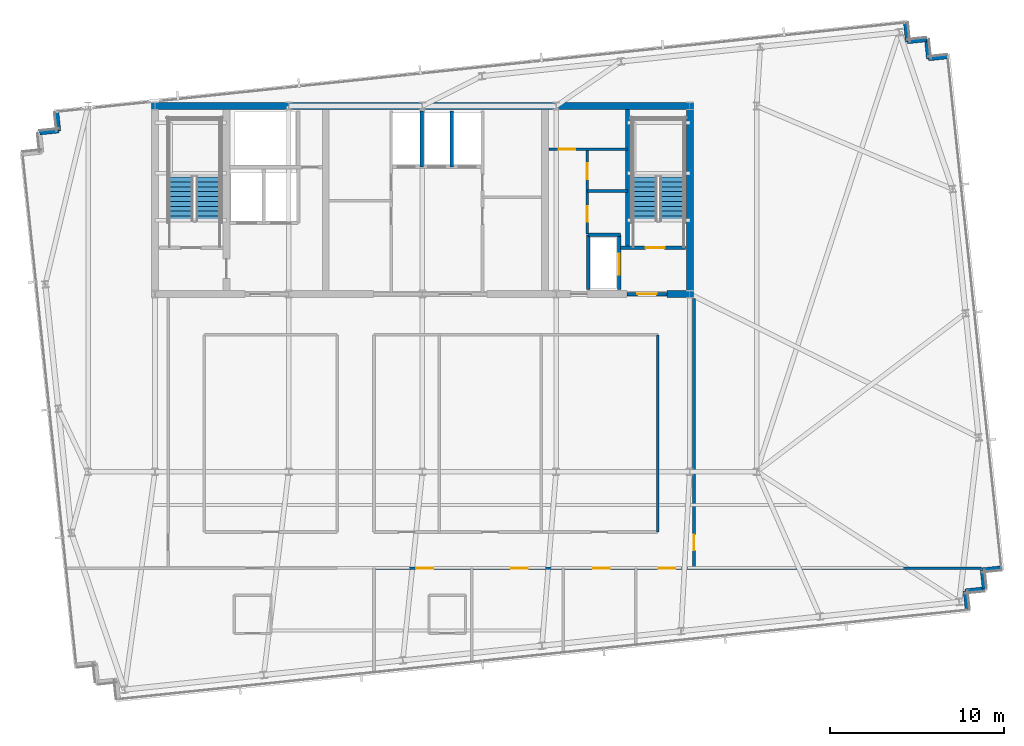
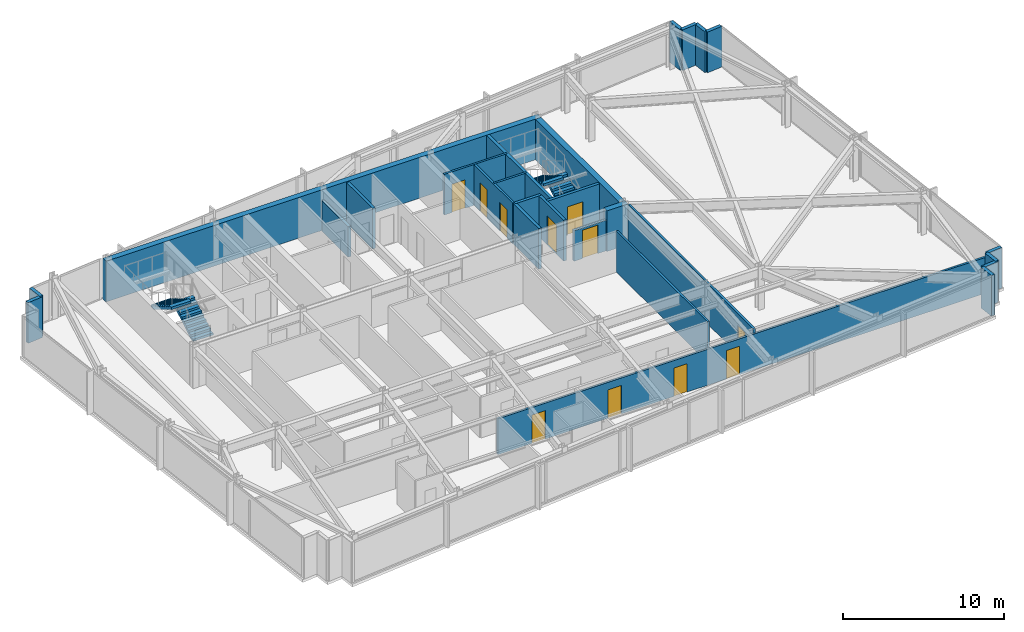
# One storey, part 28 of 32: 27 walls, 11 doors, 4 stair flights, 11 openings, 2 elements without a shape of their own.
"""IFC4 building model written with IfcOpenShell, lengths in metres."""

import ifcopenshell
import ifcopenshell.guid

model = None  # the IFC model being written
_history = None  # IfcOwnerHistory: only IFC2X3 demands one
_inside = {}  # id of a spatial element -> (the spatial element, [elements in it])
_under = {}  # id of a project, library or spatial element -> (it, [spatial elements below it])
_declared = {}  # id of a project -> (the project, [libraries it declares])
_typed = {}  # id of a type object -> (the type object, [elements of that type])
_made_of = {}  # id of a material, layer set ... -> (it, [elements and type objects made of it])


def new_model(schema):
    """Start an empty IFC model of exactly this schema.

    Asked for "IFC4X3", IfcOpenShell would pick the latest addendum, in which some entities
    have other attributes; the version numbers below select the first issue.
    IFC2X3 requires an IfcOwnerHistory on every rooted entity: one is made here for all.
    """
    global model, _history
    if schema == "IFC4X3":
        model = ifcopenshell.file(schema_version=(4, 3, 0, 0))
    else:
        model = ifcopenshell.file(schema=schema)
    _inside.clear()
    _under.clear()
    _declared.clear()
    _typed.clear()
    _made_of.clear()
    _history = None
    if model.schema == "IFC2X3":
        org = make("IfcOrganization", Name="unknown")
        user = make(
            "IfcPersonAndOrganization",
            ThePerson=make("IfcPerson", FamilyName="unknown"),
            TheOrganization=org,
        )
        app = make(
            "IfcApplication",
            ApplicationDeveloper=org,
            Version="unknown",
            ApplicationFullName="unknown",
            ApplicationIdentifier="unknown",
        )
        _history = make(
            "IfcOwnerHistory",
            OwningUser=user,
            OwningApplication=app,
            ChangeAction="ADDED",
            CreationDate=0,
        )
    return model


def make(cls, **values):
    """One entity of the class cls with the attributes given. An attribute that is None is left unset."""
    return model.create_entity(
        cls, **{name: value for name, value in values.items() if value is not None}
    )


def rooted(cls, **values):
    """An entity with a GlobalId (a new one), such as an element, a storey or a relation."""
    return make(cls, GlobalId=ifcopenshell.guid.new(), OwnerHistory=_history, **values)


def si_unit(unit_type, name, prefix=None):
    """IfcSIUnit, for example si_unit("LENGTHUNIT", "METRE", prefix="MILLI")."""
    return make("IfcSIUnit", UnitType=unit_type, Prefix=prefix, Name=name)


def assignment(units):
    """IfcUnitAssignment: the units of a project."""
    return None if units is None else make("IfcUnitAssignment", Units=units)


def point(xyz):
    """IfcCartesianPoint."""
    return None if xyz is None else make("IfcCartesianPoint", Coordinates=xyz)


def direction(xyz):
    """IfcDirection."""
    return None if xyz is None else make("IfcDirection", DirectionRatios=xyz)


def frame(location, z_axis=None, x_axis=None):
    """IfcAxis2Placement3D, a coordinate frame: its origin and axes. An axis left out is left unset."""
    return make(
        "IfcAxis2Placement3D",
        Location=point(location),
        Axis=direction(z_axis),
        RefDirection=direction(x_axis),
    )


def frame_2d(location, x_axis=None):
    """IfcAxis2Placement2D, a coordinate frame in the plane: its origin and x axis."""
    return make(
        "IfcAxis2Placement2D", Location=point(location), RefDirection=direction(x_axis)
    )


def origin():
    """The frame at (0, 0, 0) with its axes left unset."""
    return frame((0.0, 0.0, 0.0))


def place(relative_to, where):
    """IfcLocalPlacement: puts the frame where relative to a parent placement (None: the world)."""
    return make(
        "IfcLocalPlacement", PlacementRelTo=relative_to, RelativePlacement=where
    )


def context(
    kind, dimensions, precision=None, world=None, true_north=None, identifier=None
):
    """IfcGeometricRepresentationContext, for example the 3D "Model" context."""
    return make(
        "IfcGeometricRepresentationContext",
        ContextIdentifier=identifier,
        ContextType=kind,
        CoordinateSpaceDimension=dimensions,
        Precision=precision,
        WorldCoordinateSystem=world,
        TrueNorth=true_north,
    )


def subcontext(parent, identifier, kind, view, scale=None):
    """IfcGeometricRepresentationSubContext, for example "Body" below "Model"."""
    return make(
        "IfcGeometricRepresentationSubContext",
        ContextIdentifier=identifier,
        ContextType=kind,
        ParentContext=parent,
        TargetScale=scale,
        TargetView=view,
    )


def project(units=None, contexts=None):
    """IfcProject with its units and contexts."""
    return rooted(
        "IfcProject",
        Name="project",
        RepresentationContexts=contexts,
        UnitsInContext=assignment(units),
    )


def spatial(cls, under=None, at=None, **own):
    """A site, building, storey or space (cls), placed at a placement, below another one or the project."""
    s = rooted(cls, ObjectPlacement=at, **own)
    if under is not None:
        _under.setdefault(under.id(), (under, []))[1].append(s)
    return s


def polyline(points):
    """IfcPolyline through the points."""
    return make("IfcPolyline", Points=[point(p) for p in points])


def profile(cls, at=None, kind="AREA", **sizes):
    """A parametric profile (cls). Its sizes go by their IFC names, for example OverallWidth=200.0."""
    return make(cls, ProfileType=kind, Position=at, **sizes)


def rectangle(**sizes):
    """IfcRectangleProfileDef."""
    return profile("IfcRectangleProfileDef", **sizes)


def outline(outer, holes=None, kind="AREA"):
    """IfcArbitraryClosedProfileDef: a profile drawn as a closed curve; with holes, ...WithVoids."""
    if holes is None:
        return make("IfcArbitraryClosedProfileDef", ProfileType=kind, OuterCurve=outer)
    return make(
        "IfcArbitraryProfileDefWithVoids",
        ProfileType=kind,
        OuterCurve=outer,
        InnerCurves=holes,
    )


def extrude(swept, where, along, depth):
    """IfcExtrudedAreaSolid: the profile swept, set in the frame where, extruded along a direction by depth."""
    return make(
        "IfcExtrudedAreaSolid",
        SweptArea=swept,
        Position=where,
        ExtrudedDirection=direction(along),
        Depth=depth,
    )


def shape(context_of_items, identifier, shape_type, items):
    """IfcShapeRepresentation: the items that make up one representation, for example the "Body"."""
    return make(
        "IfcShapeRepresentation",
        ContextOfItems=context_of_items,
        RepresentationIdentifier=identifier,
        RepresentationType=shape_type,
        Items=items,
    )


def material(Name=None, Category=None):
    """IfcMaterial."""
    return make("IfcMaterial", Name=Name, Category=Category)


def layer(
    of_material, thickness, ventilated=None, Name=None, Category=None, Priority=None
):
    """IfcMaterialLayer: one layer of a wall or slab, of a material (None: an air gap)."""
    return make(
        "IfcMaterialLayer",
        Material=of_material,
        LayerThickness=thickness,
        IsVentilated=ventilated,
        Name=Name,
        Category=Category,
        Priority=Priority,
    )


def layer_set(layers, Name=None):
    """IfcMaterialLayerSet."""
    return make("IfcMaterialLayerSet", MaterialLayers=layers, LayerSetName=Name)


def made_of(thing, what):
    """Note that an element or type object is made of a material, layer set ...; save() writes the relation."""
    if what is not None:
        _made_of.setdefault(what.id(), (what, []))[1].append(thing)
    return thing


def type_object(cls, material=None, **own):
    """A type object (cls), such as IfcWallType, which elements share."""
    return made_of(rooted(cls, **own), material)


def element(
    cls,
    number,
    at=None,
    inside=None,
    cuts=None,
    type_object=None,
    material=None,
    context=None,
    identifier="Body",
    shape_type=None,
    held_by="IfcProductDefinitionShape",
    body=None,
    shapes=None,
    **own,
):
    """One element of the class cls, such as IfcWall. Its Tag is "e" and its number.

    at: its placement. inside: the storey or other place that contains it. cuts: it is an
    opening in that element (IfcRelVoidsElement). A single representation is given by context,
    identifier, shape_type and body (its items); several are given by shapes. held_by: the class
    of the entity that holds the representations. save() writes the other relations.
    """
    e = rooted(cls, Tag="e%d" % number, ObjectPlacement=at, **own)
    if body is not None:
        shapes = [shape(context, identifier, shape_type, body)]
    if shapes is not None:
        e.Representation = make(held_by, Representations=shapes)
    if inside is not None:
        _inside.setdefault(inside.id(), (inside, []))[1].append(e)
    if cuts is not None:
        rooted(
            "IfcRelVoidsElement", RelatingBuildingElement=cuts, RelatedOpeningElement=e
        )
    if type_object is not None:
        _typed.setdefault(type_object.id(), (type_object, []))[1].append(e)
    return made_of(e, material)


def fill(opening, filler):
    """IfcRelFillsElement: the door or window that sits in an opening."""
    return rooted(
        "IfcRelFillsElement",
        RelatingOpeningElement=opening,
        RelatedBuildingElement=filler,
    )


def aggregate(whole, parts):
    """IfcRelAggregates: a whole, such as a stair, and the parts it consists of."""
    return rooted("IfcRelAggregates", RelatingObject=whole, RelatedObjects=parts)


def save(model, path):
    """Write the relations noted so far, then the file.

    IfcRelAggregates (storeys below a building ...), IfcRelContainedInSpatialStructure (elements
    in a storey), IfcRelDefinesByType, IfcRelAssociatesMaterial and IfcRelDeclares: one each for
    every whole, place, type object, material and project.
    """
    for whole, parts in _under.values():
        aggregate(whole, parts)
    for where, things in _inside.values():
        rooted(
            "IfcRelContainedInSpatialStructure",
            RelatedElements=things,
            RelatingStructure=where,
        )
    for kind, things in _typed.values():
        rooted("IfcRelDefinesByType", RelatedObjects=things, RelatingType=kind)
    for what, things in _made_of.values():
        rooted("IfcRelAssociatesMaterial", RelatedObjects=things, RelatingMaterial=what)
    for by, libraries in _declared.values():
        rooted("IfcRelDeclares", RelatingContext=by, RelatedDefinitions=libraries)
    model.write(path)


model = new_model("IFC4")

# Units and contexts
model_context = context("Model", 3, precision=1e-05, world=origin(), true_north=direction((0.0, 1.0)))
body_context = subcontext(model_context, "Body", "Model", "MODEL_VIEW")
ifc_project = project(units=[si_unit("LENGTHUNIT", "METRE"), si_unit("AREAUNIT", "SQUARE_METRE"), si_unit("VOLUMEUNIT", "CUBIC_METRE"), si_unit("PLANEANGLEUNIT", "RADIAN"), si_unit("MASSUNIT", "GRAM", prefix="KILO")], contexts=[model_context])

# Site, building, storey
site_placement = place(None, origin())
site = spatial("IfcSite", under=ifc_project, at=site_placement, CompositionType="ELEMENT")
building_placement = place(site_placement, origin())
building = spatial("IfcBuilding", under=site, at=building_placement, Name="Yelkora Congress Tower", CompositionType="ELEMENT")
storey_placement = place(building_placement, frame((0.0, 0.0, 214.39990234375)))
storey = spatial("IfcBuildingStorey", under=building, at=storey_placement, Name="L59", CompositionType="ELEMENT", Elevation=214.39990234375)

# Walls
ifc_material_1 = material(Name="Concrete C50/60", Category="concrete")
ifc_layer_1 = layer(ifc_material_1, 0.219970703125)
ifc_layer_set_1 = layer_set([ifc_layer_1], Name="Concrete C50/60")
wall_type_1 = type_object("IfcWallType", Name="WALL-CORE-INT-220", PredefinedType="SHEAR", material=ifc_layer_set_1)
wall_1_placement = place(storey_placement, frame((50.179931640625, 38.050048828125, 0.0), z_axis=(0.0, 0.0, 1.0), x_axis=(0.0, 1.0, 0.0)))
element("IfcWall", 1, at=wall_1_placement, inside=storey, type_object=wall_type_1, Name="L59 ST02 West Stair Shear Wall", PredefinedType="SHEAR", context=body_context, shape_type="SweptSolid", body=[
    extrude(rectangle(XDim=7.949951171875, YDim=0.219970703125, at=frame_2d((3.97509765625, 0.0))), origin(), (0.0, 0.0, 1.0), 3.080078125),
])
ifc_layer_2 = layer(ifc_material_1, 0.39990234375)
ifc_layer_set_2 = layer_set([ifc_layer_2], Name="Concrete C50/60")
wall_type_2 = type_object("IfcWallType", Name="WALL-CORE-INT-400", PredefinedType="SHEAR", material=ifc_layer_set_2)
wall_2_placement = place(storey_placement, frame((22.840087890625, 46.199951171875, 0.0), z_axis=(0.0, 0.0, 1.0), x_axis=(1.0, 0.0, 0.0)))
element("IfcWall", 2, at=wall_2_placement, inside=storey, type_object=wall_type_2, Name="L59 Rear Core North Shear Wall", PredefinedType="SHEAR", context=body_context, shape_type="SweptSolid", body=[
    extrude(rectangle(XDim=31.119873046875, YDim=0.39990234375, at=frame_2d((15.56005859375, 0.0))), origin(), (0.0, 0.0, 1.0), 3.080078125),
])
wall_3_placement = place(storey_placement, frame((52.449951171875, 35.39990234375, 0.0), z_axis=(0.0, 0.0, 1.0), x_axis=(1.0, 0.0, 0.0)))
element("IfcWall", 3, at=wall_3_placement, inside=storey, type_object=wall_type_2, Name="L59 Rear Core South-East Shear Wall B", PredefinedType="SHEAR", context=body_context, shape_type="SweptSolid", body=[
    extrude(rectangle(XDim=1.510009765625, YDim=0.39990234375, at=frame_2d((0.7548828125, 0.0))), origin(), (0.0, 0.0, 1.0), 3.080078125),
])
wall_4_placement = place(storey_placement, frame((53.760009765625, 35.60009765625, 0.0), z_axis=(0.0, 0.0, 1.0), x_axis=(0.0, 1.0, 0.0)))
element("IfcWall", 4, at=wall_4_placement, inside=storey, type_object=wall_type_2, Name="L59 Rear Core Cross Shear Wall E", PredefinedType="SHEAR", context=body_context, shape_type="SweptSolid", body=[
    extrude(rectangle(XDim=10.39990234375, YDim=0.39990234375, at=frame_2d((5.199951171875, 0.0))), origin(), (0.0, 0.0, 1.0), 3.080078125),
])
ifc_material_2 = material(Name="Concrete C40/50", Category="concrete")
ifc_layer_3 = layer(ifc_material_2, 0.239990234375)
ifc_layer_set_3 = layer_set([ifc_layer_3], Name="Concrete C40/50")
wall_type_3 = type_object("IfcWallType", Name="WALL-EXT-LIMESTONE-240", PredefinedType="SOLIDWALL", material=ifc_layer_set_3)
wall_5_placement = place(storey_placement, frame((16.420166015625, 44.65380859375, 0.0), z_axis=(0.0, 0.0, 1.0), x_axis=(0.994541884982, 0.104338099541, 0.0)))
element("IfcWall", 5, at=wall_5_placement, inside=storey, type_object=wall_type_3, Name="L59 Serrated Corner Limestone Pier 8", PredefinedType="SOLIDWALL", context=body_context, shape_type="SweptSolid", body=[
    extrude(rectangle(XDim=1.099853515625, YDim=0.239990234375, at=frame_2d((0.5498046875, 0.0))), origin(), (0.0, 0.0, 1.0), 3.080078125),
])
for number, where, z_axis, x_axis, name in (
    (6, (17.513916015625, 44.7685546875, 0.0), (0.0, 0.0, 1.0), (-0.104534592565, 0.994521251134, 0.0), "L59 Serrated Corner Limestone Pier 9"),
    (7, (66.150390625, 50.986572265625, 0.0), (0.0, 0.0, 1.0), (0.104534592565, -0.994521251134, 0.0), "L59 Serrated Corner Limestone Pier 11"),
    (8, (66.265380859375, 49.892578125, 0.0), (0.0, 0.0, 1.0), (0.994521251134, 0.104534592565, 0.0), "L59 Serrated Corner Limestone Pier 12"),
    (9, (67.359375, 50.007568359375, 0.0), (0.0, 0.0, 1.0), (0.104534592565, -0.994521251134, 0.0), "L59 Serrated Corner Limestone Pier 13"),
    (10, (67.474365234375, 48.91357421875, 0.0), (0.0, 0.0, 1.0), (0.994521251134, 0.104534592565, 0.0), "L59 Serrated Corner Limestone Pier 14"),
    (11, (71.654052734375, 19.67041015625, 0.0), (0.0, 0.0, 1.0), (-0.994521251134, -0.104534592565, 0.0), "L59 Serrated Corner Limestone Pier 16"),
    (12, (70.56005859375, 19.555419921875, 0.0), (0.0, 0.0, 1.0), (0.104534592565, -0.994521251134, 0.0), "L59 Serrated Corner Limestone Pier 17"),
    (13, (70.675048828125, 18.46142578125, 0.0), (0.0, 0.0, 1.0), (-0.994521251134, -0.104534592565, 0.0), "L59 Serrated Corner Limestone Pier 18"),
    (14, (69.5810546875, 18.346435546875, 0.0), (0.0, 0.0, 1.0), (0.104534592565, -0.994521251134, 0.0), "L59 Serrated Corner Limestone Pier 19"),
):
    element("IfcWall", number, at=place(storey_placement, frame(where, z_axis=z_axis, x_axis=x_axis)), inside=storey, type_object=wall_type_3, Name=name, PredefinedType="SOLIDWALL", context=body_context, shape_type="SweptSolid", body=[
        extrude(rectangle(XDim=1.10009765625, YDim=0.239990234375, at=frame_2d((0.550048828125, 0.0))), origin(), (0.0, 0.0, 1.0), 3.080078125),
    ])

# Wall, opening, door
ifc_material_3 = material(Name="Acoustic metal-stud gypsum partition", Category="gypsum")
ifc_layer_4 = layer(ifc_material_3, 0.14990234375)
ifc_layer_set_4 = layer_set([ifc_layer_4], Name="Acoustic metal-stud gypsum partition")
wall_type_4 = type_object("IfcWallType", Name="WALL-INT-150-NR", PredefinedType="PARTITIONING", material=ifc_layer_set_4)
wall_6_placement = place(storey_placement, frame((45.679931640625, 43.719970703125, 0.0), z_axis=(0.0, 0.0, 1.0), x_axis=(1.0, 0.0, 0.0)))
wall_6 = element("IfcWall", 15, at=wall_6_placement, inside=storey, type_object=wall_type_4, Name="L59 Partition Wall 20", PredefinedType="PARTITIONING", context=body_context, shape_type="SweptSolid", body=[
    extrude(rectangle(XDim=4.5, YDim=0.14990234375, at=frame_2d((2.25, 0.0))), origin(), (0.0, 0.0, 1.0), 3.080078125),
])
opening_1_placement = place(wall_6_placement, frame((0.550048828125, 0.0, 0.0)))
opening_1 = element("IfcOpeningElement", 16, at=opening_1_placement, cuts=wall_6, Name="Opening DR-095N", PredefinedType="OPENING", context=body_context, shape_type="SweptSolid", body=[
    extrude(rectangle(XDim=0.949951171875, YDim=2.14990234375, at=frame_2d((0.47509765625, 1.074951171875))), frame((0.0, 0.0849609375, 0.0), z_axis=(0.0, -1.0, 0.0), x_axis=(1.0, 0.0, 0.0)), (0.0, 0.0, 1.0), 0.169921875),
])
ifc_material_4 = material(Name="Acoustic laminated timber office door", Category="wood")
door_type_1 = type_object("IfcDoorType", Name="DOOR-INT-950", OperationType="NOTDEFINED", PredefinedType="DOOR", material=ifc_material_4)
door_1_placement = place(opening_1_placement, origin())
door_1 = element("IfcDoor", 17, at=door_1_placement, inside=storey, type_object=door_type_1, Name="L59 Accessible WC Door", OperationType="SINGLE_SWING_LEFT", OverallHeight=2.14990234375, OverallWidth=0.949951171875, PredefinedType="DOOR", context=body_context, shape_type="SweptSolid", body=[
    extrude(rectangle(XDim=0.949951171875, YDim=2.14990234375, at=frame_2d((0.47509765625, 1.074951171875))), frame((0.0, 0.02490234375, 0.0), z_axis=(0.0, -1.0, 0.0), x_axis=(1.0, 0.0, 0.0)), (0.0, 0.0, 1.0), 0.050048828125),
])
fill(opening_1, door_1)

# Wall
wall_7_placement = place(storey_placement, frame((47.8798828125, 41.320068359375, 0.0), z_axis=(0.0, 0.0, 1.0), x_axis=(1.0, 0.0, 0.0)))
element("IfcWall", 18, at=wall_7_placement, inside=storey, type_object=wall_type_4, Name="L59 Partition Wall 21", PredefinedType="PARTITIONING", context=body_context, shape_type="SweptSolid", body=[
    extrude(rectangle(XDim=2.300048828125, YDim=0.14990234375, at=frame_2d((1.14990234375, 0.0))), origin(), (0.0, 0.0, 1.0), 3.080078125),
])

# Wall, openings, doors
wall_8_placement = place(storey_placement, frame((47.8798828125, 38.85009765625, 0.0), z_axis=(0.0, 0.0, 1.0), x_axis=(0.0, 1.0, 0.0)))
wall_8 = element("IfcWall", 19, at=wall_8_placement, inside=storey, type_object=wall_type_4, Name="L59 Partition Wall 22", PredefinedType="PARTITIONING", context=body_context, shape_type="SweptSolid", body=[
    extrude(rectangle(XDim=4.869873046875, YDim=0.14990234375, at=frame_2d((2.43505859375, 0.0))), origin(), (0.0, 0.0, 1.0), 3.080078125),
])
opening_2_placement = place(wall_8_placement, frame((0.699951171875, 0.0, 0.0)))
opening_2 = element("IfcOpeningElement", 20, at=opening_2_placement, cuts=wall_8, Name="Opening DR-090N", PredefinedType="OPENING", context=body_context, shape_type="SweptSolid", body=[
    extrude(rectangle(XDim=0.89990234375, YDim=2.14990234375, at=frame_2d((0.449951171875, 1.074951171875))), frame((0.0, 0.0849609375, 0.0), z_axis=(0.0, -1.0, 0.0), x_axis=(1.0, 0.0, 0.0)), (0.0, 0.0, 1.0), 0.169921875),
])
opening_3_placement = place(wall_8_placement, frame((3.14990234375, 0.0, 0.0)))
opening_3 = element("IfcOpeningElement", 21, at=opening_3_placement, cuts=wall_8, Name="Opening DR-090N", PredefinedType="OPENING", context=body_context, shape_type="SweptSolid", body=[
    extrude(rectangle(XDim=0.89990234375, YDim=2.14990234375, at=frame_2d((0.449951171875, 1.074951171875))), frame((0.0, 0.0849609375, 0.0), z_axis=(0.0, -1.0, 0.0), x_axis=(1.0, 0.0, 0.0)), (0.0, 0.0, 1.0), 0.169921875),
])
ifc_material_5 = material(Name="Moisture-resistant laminate door leaf", Category="wood")
door_type_2 = type_object("IfcDoorType", Name="DOOR-INT-900", OperationType="NOTDEFINED", PredefinedType="DOOR", material=ifc_material_5)
door_2_placement = place(opening_2_placement, origin())
door_2 = element("IfcDoor", 22, at=door_2_placement, inside=storey, type_object=door_type_2, Name="L59 Male WC Door", OperationType="SINGLE_SWING_RIGHT", OverallHeight=2.14990234375, OverallWidth=0.89990234375, PredefinedType="DOOR", context=body_context, shape_type="SweptSolid", body=[
    extrude(rectangle(XDim=0.89990234375, YDim=2.14990234375, at=frame_2d((0.449951171875, 1.074951171875))), frame((0.0, 0.02490234375, 0.0), z_axis=(0.0, -1.0, 0.0), x_axis=(1.0, 0.0, 0.0)), (0.0, 0.0, 1.0), 0.050048828125),
])
fill(opening_2, door_2)
door_3_placement = place(opening_3_placement, origin())
door_3 = element("IfcDoor", 23, at=door_3_placement, inside=storey, type_object=door_type_2, Name="L59 Female WC Door", OperationType="SINGLE_SWING_LEFT", OverallHeight=2.14990234375, OverallWidth=0.89990234375, PredefinedType="DOOR", context=body_context, shape_type="SweptSolid", body=[
    extrude(rectangle(XDim=0.89990234375, YDim=2.14990234375, at=frame_2d((0.449951171875, 1.074951171875))), frame((0.0, 0.02490234375, 0.0), z_axis=(0.0, -1.0, 0.0), x_axis=(1.0, 0.0, 0.0)), (0.0, 0.0, 1.0), 0.050048828125),
])
fill(opening_3, door_3)

# Wall, opening, door
wall_9_placement = place(storey_placement, frame((54.0, 19.64990234375, 0.0), z_axis=(0.0, 0.0, 1.0), x_axis=(0.0, 1.0, 0.0)))
wall_9 = element("IfcWall", 24, at=wall_9_placement, inside=storey, type_object=wall_type_4, Name="L59 Partition Wall 38", PredefinedType="PARTITIONING", context=body_context, shape_type="SweptSolid", body=[
    extrude(rectangle(XDim=15.489990234375, YDim=0.14990234375, at=frame_2d((7.7451171875, 0.0))), origin(), (0.0, 0.0, 1.0), 3.080078125),
])
opening_4_placement = place(wall_9_placement, frame((1.030029296875, 0.0, 0.0)))
opening_4 = element("IfcOpeningElement", 25, at=opening_4_placement, cuts=wall_9, Name="Opening DR-090N", PredefinedType="OPENING", context=body_context, shape_type="SweptSolid", body=[
    extrude(rectangle(XDim=0.89990234375, YDim=2.14990234375, at=frame_2d((0.449951171875, 1.074951171875))), frame((0.0, 0.0849609375, 0.0), z_axis=(0.0, -1.0, 0.0), x_axis=(1.0, 0.0, 0.0)), (0.0, 0.0, 1.0), 0.169921875),
])
door_4_placement = place(opening_4_placement, origin())
door_4 = element("IfcDoor", 26, at=door_4_placement, inside=storey, type_object=door_type_2, Name="L59 E Wing Door", OperationType="SINGLE_SWING_RIGHT", OverallHeight=2.14990234375, OverallWidth=0.89990234375, PredefinedType="DOOR", context=body_context, shape_type="SweptSolid", body=[
    extrude(rectangle(XDim=0.89990234375, YDim=2.14990234375, at=frame_2d((0.449951171875, 1.074951171875))), frame((0.0, 0.02490234375, 0.0), z_axis=(0.0, -1.0, 0.0), x_axis=(1.0, 0.0, 0.0)), (0.0, 0.0, 1.0), 0.050048828125),
])
fill(opening_4, door_4)

# Wall
wall_10_placement = place(storey_placement, frame((51.919921875, 21.72998046875, 0.0), z_axis=(0.0, 0.0, 1.0), x_axis=(0.0, 1.0, 0.0)))
element("IfcWall", 27, at=wall_10_placement, inside=storey, type_object=wall_type_4, Name="L59 Partition Wall 40", PredefinedType="PARTITIONING", context=body_context, shape_type="SweptSolid", body=[
    extrude(rectangle(XDim=11.320068359375, YDim=0.14990234375, at=frame_2d((5.66015625, 0.0))), origin(), (0.0, 0.0, 1.0), 3.080078125),
])

# Wall, openings, doors
ifc_material_6 = material(Name="Twin-stud fire-rated gypsum partition", Category="gypsum")
ifc_layer_5 = layer(ifc_material_6, 0.14990234375)
ifc_layer_set_5 = layer_set([ifc_layer_5], Name="Twin-stud fire-rated gypsum partition")
wall_type_5 = type_object("IfcWallType", Name="WALL-INT-150-R60", PredefinedType="PARTITIONING", material=ifc_layer_set_5)
wall_11_placement = place(storey_placement, frame((35.6201171875, 19.64990234375, 0.0), z_axis=(0.0, 0.0, 1.0), x_axis=(1.0, 0.0, 0.0)))
wall_11 = element("IfcWall", 28, at=wall_11_placement, inside=storey, type_object=wall_type_5, Name="L59 South Spine Wall East", PredefinedType="PARTITIONING", context=body_context, shape_type="SweptSolid", body=[
    extrude(rectangle(XDim=34.89990234375, YDim=0.14990234375, at=frame_2d((17.449951171875, 0.0))), origin(), (0.0, 0.0, 1.0), 2.715087890625),
])
opening_5_placement = place(wall_11_placement, frame((2.4541015625, 0.0, 0.0)))
opening_5 = element("IfcOpeningElement", 29, at=opening_5_placement, cuts=wall_11, Name="Opening DR-095F6", PredefinedType="OPENING", context=body_context, shape_type="SweptSolid", body=[
    extrude(rectangle(XDim=0.949951171875, YDim=2.14990234375, at=frame_2d((0.47509765625, 1.074951171875))), frame((0.0, 0.0849609375, 0.0), z_axis=(0.0, -1.0, 0.0), x_axis=(1.0, 0.0, 0.0)), (0.0, 0.0, 1.0), 0.169921875),
])
opening_6_placement = place(wall_11_placement, frame((7.887939453125, 0.0, 0.0)))
opening_6 = element("IfcOpeningElement", 30, at=opening_6_placement, cuts=wall_11, Name="Opening DR-095F6", PredefinedType="OPENING", context=body_context, shape_type="SweptSolid", body=[
    extrude(rectangle(XDim=0.949951171875, YDim=2.14990234375, at=frame_2d((0.47509765625, 1.074951171875))), frame((0.0, 0.0849609375, 0.0), z_axis=(0.0, -1.0, 0.0), x_axis=(1.0, 0.0, 0.0)), (0.0, 0.0, 1.0), 0.169921875),
])
opening_7_placement = place(wall_11_placement, frame((12.593505859375, 0.0, 0.0)))
opening_7 = element("IfcOpeningElement", 31, at=opening_7_placement, cuts=wall_11, Name="Opening DR-095F6", PredefinedType="OPENING", context=body_context, shape_type="SweptSolid", body=[
    extrude(rectangle(XDim=0.949951171875, YDim=2.14990234375, at=frame_2d((0.47509765625, 1.074951171875))), frame((0.0, 0.0849609375, 0.0), z_axis=(0.0, -1.0, 0.0), x_axis=(1.0, 0.0, 0.0)), (0.0, 0.0, 1.0), 0.169921875),
])
opening_8_placement = place(wall_11_placement, frame((16.344482421875, 0.0, 0.0)))
opening_8 = element("IfcOpeningElement", 32, at=opening_8_placement, cuts=wall_11, Name="Opening DR-095F6", PredefinedType="OPENING", context=body_context, shape_type="SweptSolid", body=[
    extrude(rectangle(XDim=0.949951171875, YDim=2.14990234375, at=frame_2d((0.47509765625, 1.074951171875))), frame((0.0, 0.0849609375, 0.0), z_axis=(0.0, -1.0, 0.0), x_axis=(1.0, 0.0, 0.0)), (0.0, 0.0, 1.0), 0.169921875),
])
ifc_material_7 = material(Name="Acoustic oak-veneer fire door leaf", Category="wood")
door_type_3 = type_object("IfcDoorType", Name="DOOR-FD60-950", OperationType="NOTDEFINED", PredefinedType="DOOR", material=ifc_material_7)
door_5_placement = place(opening_5_placement, origin())
door_5 = element("IfcDoor", 33, at=door_5_placement, inside=storey, type_object=door_type_3, Name="L59 Hotel Guest Room 03 Entry Door", OperationType="SINGLE_SWING_LEFT", OverallHeight=2.14990234375, OverallWidth=0.949951171875, PredefinedType="DOOR", context=body_context, shape_type="SweptSolid", body=[
    extrude(rectangle(XDim=0.949951171875, YDim=2.14990234375, at=frame_2d((0.47509765625, 1.074951171875))), frame((0.0, 0.02490234375, 0.0), z_axis=(0.0, -1.0, 0.0), x_axis=(1.0, 0.0, 0.0)), (0.0, 0.0, 1.0), 0.050048828125),
])
fill(opening_5, door_5)
door_6_placement = place(opening_6_placement, origin())
door_6 = element("IfcDoor", 34, at=door_6_placement, inside=storey, type_object=door_type_3, Name="L59 VIP Hospitality Lounge Entry Door", OperationType="SINGLE_SWING_RIGHT", OverallHeight=2.14990234375, OverallWidth=0.949951171875, PredefinedType="DOOR", context=body_context, shape_type="SweptSolid", body=[
    extrude(rectangle(XDim=0.949951171875, YDim=2.14990234375, at=frame_2d((0.47509765625, 1.074951171875))), frame((0.0, 0.02490234375, 0.0), z_axis=(0.0, -1.0, 0.0), x_axis=(1.0, 0.0, 0.0)), (0.0, 0.0, 1.0), 0.050048828125),
])
fill(opening_6, door_6)
door_7_placement = place(opening_7_placement, origin())
door_7 = element("IfcDoor", 35, at=door_7_placement, inside=storey, type_object=door_type_3, Name="L59 VIP Hospitality Lounge Entry Door", OperationType="SINGLE_SWING_LEFT", OverallHeight=2.14990234375, OverallWidth=0.949951171875, PredefinedType="DOOR", context=body_context, shape_type="SweptSolid", body=[
    extrude(rectangle(XDim=0.949951171875, YDim=2.14990234375, at=frame_2d((0.47509765625, 1.074951171875))), frame((0.0, 0.02490234375, 0.0), z_axis=(0.0, -1.0, 0.0), x_axis=(1.0, 0.0, 0.0)), (0.0, 0.0, 1.0), 0.050048828125),
])
fill(opening_7, door_7)
door_8_placement = place(opening_8_placement, origin())
door_8 = element("IfcDoor", 36, at=door_8_placement, inside=storey, type_object=door_type_3, Name="L59 VIP Hospitality Lounge Entry Door", OperationType="SINGLE_SWING_RIGHT", OverallHeight=2.14990234375, OverallWidth=0.949951171875, PredefinedType="DOOR", context=body_context, shape_type="SweptSolid", body=[
    extrude(rectangle(XDim=0.949951171875, YDim=2.14990234375, at=frame_2d((0.47509765625, 1.074951171875))), frame((0.0, 0.02490234375, 0.0), z_axis=(0.0, -1.0, 0.0), x_axis=(1.0, 0.0, 0.0)), (0.0, 0.0, 1.0), 0.050048828125),
])
fill(opening_8, door_8)

# Walls
ifc_material_8 = material(Name="Autoclaved aerated concrete blockwork", Category="masonry")
ifc_layer_6 = layer(ifc_material_8, 0.199951171875)
ifc_layer_set_6 = layer_set([ifc_layer_6], Name="Autoclaved aerated concrete blockwork")
wall_type_6 = type_object("IfcWallType", Name="WALL-INT-200-R120", PredefinedType="PARTITIONING", material=ifc_layer_set_6)
wall_12_placement = place(storey_placement, frame((38.35009765625, 42.699951171875, 0.0), z_axis=(0.0, 0.0, 1.0), x_axis=(0.0, 1.0, 0.0)))
element("IfcWall", 37, at=wall_12_placement, inside=storey, type_object=wall_type_6, Name="L59 Partition Wall 9", PredefinedType="PARTITIONING", context=body_context, shape_type="SweptSolid", body=[
    extrude(rectangle(XDim=3.219970703125, YDim=0.199951171875, at=frame_2d((1.60986328125, 0.0))), origin(), (0.0, 0.0, 1.0), 2.31298828125),
])
wall_13_placement = place(storey_placement, frame((40.10009765625, 42.699951171875, 0.0), z_axis=(0.0, 0.0, 1.0), x_axis=(0.0, 1.0, 0.0)))
element("IfcWall", 38, at=wall_13_placement, inside=storey, type_object=wall_type_6, Name="L59 Partition Wall 10", PredefinedType="PARTITIONING", context=body_context, shape_type="SweptSolid", body=[
    extrude(rectangle(XDim=3.219970703125, YDim=0.199951171875, at=frame_2d((1.60986328125, 0.0))), origin(), (0.0, 0.0, 1.0), 3.080078125),
])

# Wall, opening, door
wall_14_placement = place(storey_placement, frame((49.780029296875, 38.050048828125, 0.0), z_axis=(0.0, 0.0, 1.0), x_axis=(1.0, 0.0, 0.0)))
wall_14 = element("IfcWall", 39, at=wall_14_placement, inside=storey, type_object=wall_type_6, Name="L59 Stair ST-02 Enclosure Wall", PredefinedType="PARTITIONING", context=body_context, shape_type="SweptSolid", body=[
    extrude(rectangle(XDim=3.719970703125, YDim=0.199951171875, at=frame_2d((1.85986328125, 0.0))), origin(), (0.0, 0.0, 1.0), 3.080078125),
])
opening_9_placement = place(wall_14_placement, frame((1.436279296875, 0.0, 0.0)))
opening_9 = element("IfcOpeningElement", 40, at=opening_9_placement, cuts=wall_14, Name="Opening DR-110F9", PredefinedType="OPENING", context=body_context, shape_type="SweptSolid", body=[
    extrude(rectangle(XDim=1.10009765625, YDim=2.14990234375, at=frame_2d((0.550048828125, 1.074951171875))), frame((0.0, 0.10986328125, 0.0), z_axis=(0.0, -1.0, 0.0), x_axis=(1.0, 0.0, 0.0)), (0.0, 0.0, 1.0), 0.219970703125),
])
ifc_material_9 = material(Name="Galvanised steel fire door leaf", Category="steel")
door_type_4 = type_object("IfcDoorType", Name="DOOR-FD90-1100", OperationType="NOTDEFINED", PredefinedType="DOOR", material=ifc_material_9)
door_9_placement = place(opening_9_placement, origin())
door_9 = element("IfcDoor", 41, at=door_9_placement, inside=storey, type_object=door_type_4, Name="L59 Stair ST-02 Entry Door", OperationType="SINGLE_SWING_RIGHT", OverallHeight=2.14990234375, OverallWidth=1.10009765625, PredefinedType="DOOR", context=body_context, shape_type="SweptSolid", body=[
    extrude(rectangle(XDim=1.10009765625, YDim=2.14990234375, at=frame_2d((0.550048828125, 1.074951171875))), frame((0.0, 0.02490234375, 0.0), z_axis=(0.0, -1.0, 0.0), x_axis=(1.0, 0.0, 0.0)), (0.0, 0.0, 1.0), 0.050048828125),
])
fill(opening_9, door_9)

wall_15_placement = place(storey_placement, frame((50.14990234375, 35.39990234375, 0.0), z_axis=(0.0, 0.0, 1.0), x_axis=(1.0, 0.0, 0.0)))
wall_15 = element("IfcWall", 42, at=wall_15_placement, inside=storey, type_object=wall_type_6, Name="L59 Partition Wall 16", PredefinedType="PARTITIONING", context=body_context, shape_type="SweptSolid", body=[
    extrude(rectangle(XDim=2.300048828125, YDim=0.199951171875, at=frame_2d((1.14990234375, 0.0))), origin(), (0.0, 0.0, 1.0), 2.31298828125),
])
opening_10_placement = place(wall_15_placement, frame((0.60009765625, 0.0, 0.0)))
opening_10 = element("IfcOpeningElement", 43, at=opening_10_placement, cuts=wall_15, Name="Opening DR-110F9", PredefinedType="OPENING", context=body_context, shape_type="SweptSolid", body=[
    extrude(rectangle(XDim=1.10009765625, YDim=2.14990234375, at=frame_2d((0.550048828125, 1.074951171875))), frame((0.0, 0.10986328125, 0.0), z_axis=(0.0, -1.0, 0.0), x_axis=(1.0, 0.0, 0.0)), (0.0, 0.0, 1.0), 0.219970703125),
])
door_10_placement = place(opening_10_placement, origin())
door_10 = element("IfcDoor", 44, at=door_10_placement, inside=storey, type_object=door_type_4, Name="L59 East Stair Lobby Door", OperationType="SINGLE_SWING_LEFT", OverallHeight=2.14990234375, OverallWidth=1.10009765625, PredefinedType="DOOR", context=body_context, shape_type="SweptSolid", body=[
    extrude(rectangle(XDim=1.10009765625, YDim=2.14990234375, at=frame_2d((0.550048828125, 1.074951171875))), frame((0.0, 0.02490234375, 0.0), z_axis=(0.0, -1.0, 0.0), x_axis=(1.0, 0.0, 0.0)), (0.0, 0.0, 1.0), 0.050048828125),
])
fill(opening_10, door_10)

wall_16_placement = place(storey_placement, frame((49.699951171875, 35.64990234375, 0.0), z_axis=(0.0, 0.0, 1.0), x_axis=(0.0, 1.0, 0.0)))
wall_16 = element("IfcWall", 45, at=wall_16_placement, inside=storey, type_object=wall_type_6, Name="L59 Partition Wall 17", PredefinedType="PARTITIONING", context=body_context, shape_type="SweptSolid", body=[
    extrude(rectangle(XDim=3.150146484375, YDim=0.199951171875, at=frame_2d((1.5751953125, 0.0))), origin(), (0.0, 0.0, 1.0), 3.080078125),
])
opening_11_placement = place(wall_16_placement, frame((0.85009765625, 0.0, 0.0)))
opening_11 = element("IfcOpeningElement", 46, at=opening_11_placement, cuts=wall_16, Name="Opening LD-SV12", PredefinedType="OPENING", context=body_context, shape_type="SweptSolid", body=[
    extrude(rectangle(XDim=1.199951171875, YDim=2.199951171875, at=frame_2d((0.60009765625, 1.10009765625))), frame((0.0, 0.10986328125, 0.0), z_axis=(0.0, -1.0, 0.0), x_axis=(1.0, 0.0, 0.0)), (0.0, 0.0, 1.0), 0.219970703125),
])
ifc_material_10 = material(Name="Heavy-duty stainless steel landing door", Category="steel")
door_type_5 = type_object("IfcDoorType", Name="DOOR-LIFT-SRV-1200", OperationType="DOUBLE_DOOR_SLIDING", PredefinedType="DOOR", material=ifc_material_10)
door_11_placement = place(opening_11_placement, origin())
door_11 = element("IfcDoor", 47, at=door_11_placement, inside=storey, type_object=door_type_5, Name="Service Lift Landing Door LF-SV1 L59", OperationType="DOUBLE_DOOR_SLIDING", OverallHeight=2.199951171875, OverallWidth=1.199951171875, PredefinedType="DOOR", context=body_context, shape_type="SweptSolid", body=[
    extrude(rectangle(XDim=1.199951171875, YDim=2.199951171875, at=frame_2d((0.60009765625, 1.10009765625))), frame((0.0, 0.02490234375, 0.0), z_axis=(0.0, -1.0, 0.0), x_axis=(1.0, 0.0, 0.0)), (0.0, 0.0, 1.0), 0.050048828125),
])
fill(opening_11, door_11)

# Walls
wall_17_placement = place(storey_placement, frame((47.919921875, 35.64990234375, 0.0), z_axis=(0.0, 0.0, 1.0), x_axis=(0.0, 1.0, 0.0)))
element("IfcWall", 48, at=wall_17_placement, inside=storey, type_object=wall_type_6, Name="L59 Partition Wall 18", PredefinedType="PARTITIONING", context=body_context, shape_type="SweptSolid", body=[
    extrude(rectangle(XDim=3.150146484375, YDim=0.199951171875, at=frame_2d((1.5751953125, 0.0))), origin(), (0.0, 0.0, 1.0), 3.080078125),
])
wall_18_placement = place(storey_placement, frame((47.919921875, 38.800048828125, 0.0), z_axis=(0.0, 0.0, 1.0), x_axis=(1.0, 0.0, 0.0)))
element("IfcWall", 49, at=wall_18_placement, inside=storey, type_object=wall_type_6, Name="L59 Partition Wall 19", PredefinedType="PARTITIONING", context=body_context, shape_type="SweptSolid", body=[
    extrude(rectangle(XDim=1.860107421875, YDim=0.199951171875, at=frame_2d((0.93017578125, 0.0))), origin(), (0.0, 0.0, 1.0), 3.080078125),
])

# Stair, stair flights
stair_type = type_object("IfcStairType", Name="STAIR-HT-1420-R20-165", PredefinedType="HALF_TURN_STAIR", material=ifc_material_2)
stair_1_placement = place(storey_placement, origin())
stair_1 = element("IfcStair", 50, at=stair_1_placement, inside=storey, type_object=stair_type, Name="West Core Protected Exit Stair ST-01 (L59)", PredefinedType="HALF_TURN_STAIR")
stair_flight_type = type_object("IfcStairFlightType", Name="FLIGHT-1420-N10-R165-G280", PredefinedType="STRAIGHT", material=ifc_material_2)
stair_flight_1_placement = place(storey_placement, frame((26.110107421875, 39.60009765625, 0.0), z_axis=(0.0, 0.0, 1.0), x_axis=(0.0, 1.0, 0.0)))
stair_flight_1 = element("IfcStairFlight", 51, at=stair_flight_1_placement, type_object=stair_flight_type, Name="ST-01 L59 Flight 1", NumberOfRisers=10, NumberOfTreads=9, PredefinedType="STRAIGHT", RiserHeight=0.165, TreadLength=0.28, context=body_context, shape_type="SweptSolid", body=[
    extrude(outline(polyline([(0.0, 0.0), (0.0, 0.1650390625), (0.280029296875, 0.1650390625), (0.280029296875, 0.330078125), (0.56005859375, 0.330078125), (0.56005859375, 0.4951171875), (0.840087890625, 0.4951171875), (0.840087890625, 0.659912109375), (1.1201171875, 0.659912109375), (1.1201171875, 0.824951171875), (1.39990234375, 0.824951171875), (1.39990234375, 0.989990234375), (1.679931640625, 0.989990234375), (1.679931640625, 1.155029296875), (1.9599609375, 1.155029296875), (1.9599609375, 1.320068359375), (2.239990234375, 1.320068359375), (2.239990234375, 1.485107421875), (2.52001953125, 1.485107421875), (2.52001953125, 1.64990234375), (2.52001953125, 1.29931640625), (0.31494140625, 0.0), (0.0, 0.0)])), frame((0.0, 0.7099609375, 0.0), z_axis=(0.0, -1.0, 0.0), x_axis=(1.0, 0.0, 0.0)), (0.0, 0.0, 1.0), 1.419921875),
])
stair_flight_2_placement = place(storey_placement, frame((24.530029296875, 42.1201171875, 1.650146484375), z_axis=(0.0, 0.0, 1.0), x_axis=(0.0, -1.0, 0.0)))
stair_flight_2 = element("IfcStairFlight", 52, at=stair_flight_2_placement, type_object=stair_flight_type, Name="ST-01 L59 Flight 2", NumberOfRisers=10, NumberOfTreads=9, PredefinedType="STRAIGHT", RiserHeight=0.165, TreadLength=0.28, context=body_context, shape_type="SweptSolid", body=[
    extrude(outline(polyline([(0.0, 0.0), (0.0, 0.1650390625), (0.280029296875, 0.1650390625), (0.280029296875, 0.330078125), (0.56005859375, 0.330078125), (0.56005859375, 0.4951171875), (0.840087890625, 0.4951171875), (0.840087890625, 0.659912109375), (1.1201171875, 0.659912109375), (1.1201171875, 0.824951171875), (1.39990234375, 0.824951171875), (1.39990234375, 0.989990234375), (1.679931640625, 0.989990234375), (1.679931640625, 1.155029296875), (1.9599609375, 1.155029296875), (1.9599609375, 1.320068359375), (2.239990234375, 1.320068359375), (2.239990234375, 1.485107421875), (2.52001953125, 1.485107421875), (2.52001953125, 1.64990234375), (2.52001953125, 1.29931640625), (0.31494140625, 0.0), (0.0, 0.0)])), frame((0.0, 0.7099609375, 0.0), z_axis=(0.0, -1.0, 0.0), x_axis=(1.0, 0.0, 0.0)), (0.0, 0.0, 1.0), 1.419921875),
])
aggregate(stair_1, [stair_flight_1, stair_flight_2])

stair_2_placement = place(storey_placement, origin())
stair_2 = element("IfcStair", 53, at=stair_2_placement, inside=storey, type_object=stair_type, Name="East Core Protected Exit Stair ST-02 (L59)", PredefinedType="HALF_TURN_STAIR")
stair_flight_3_placement = place(storey_placement, frame((52.75, 39.60009765625, 0.0), z_axis=(0.0, 0.0, 1.0), x_axis=(0.0, 1.0, 0.0)))
stair_flight_3 = element("IfcStairFlight", 54, at=stair_flight_3_placement, type_object=stair_flight_type, Name="ST-02 L59 Flight 1", NumberOfRisers=10, NumberOfTreads=9, PredefinedType="STRAIGHT", RiserHeight=0.165, TreadLength=0.28, context=body_context, shape_type="SweptSolid", body=[
    extrude(outline(polyline([(0.0, 0.0), (0.0, 0.1650390625), (0.280029296875, 0.1650390625), (0.280029296875, 0.330078125), (0.56005859375, 0.330078125), (0.56005859375, 0.4951171875), (0.840087890625, 0.4951171875), (0.840087890625, 0.659912109375), (1.1201171875, 0.659912109375), (1.1201171875, 0.824951171875), (1.39990234375, 0.824951171875), (1.39990234375, 0.989990234375), (1.679931640625, 0.989990234375), (1.679931640625, 1.155029296875), (1.9599609375, 1.155029296875), (1.9599609375, 1.320068359375), (2.239990234375, 1.320068359375), (2.239990234375, 1.485107421875), (2.52001953125, 1.485107421875), (2.52001953125, 1.64990234375), (2.52001953125, 1.29931640625), (0.31494140625, 0.0), (0.0, 0.0)])), frame((0.0, 0.7099609375, 0.0), z_axis=(0.0, -1.0, 0.0), x_axis=(1.0, 0.0, 0.0)), (0.0, 0.0, 1.0), 1.419921875),
])
stair_flight_4_placement = place(storey_placement, frame((51.169921875, 42.1201171875, 1.650146484375), z_axis=(0.0, 0.0, 1.0), x_axis=(0.0, -1.0, 0.0)))
stair_flight_4 = element("IfcStairFlight", 55, at=stair_flight_4_placement, type_object=stair_flight_type, Name="ST-02 L59 Flight 2", NumberOfRisers=10, NumberOfTreads=9, PredefinedType="STRAIGHT", RiserHeight=0.165, TreadLength=0.28, context=body_context, shape_type="SweptSolid", body=[
    extrude(outline(polyline([(0.0, 0.0), (0.0, 0.1650390625), (0.280029296875, 0.1650390625), (0.280029296875, 0.330078125), (0.56005859375, 0.330078125), (0.56005859375, 0.4951171875), (0.840087890625, 0.4951171875), (0.840087890625, 0.659912109375), (1.1201171875, 0.659912109375), (1.1201171875, 0.824951171875), (1.39990234375, 0.824951171875), (1.39990234375, 0.989990234375), (1.679931640625, 0.989990234375), (1.679931640625, 1.155029296875), (1.9599609375, 1.155029296875), (1.9599609375, 1.320068359375), (2.239990234375, 1.320068359375), (2.239990234375, 1.485107421875), (2.52001953125, 1.485107421875), (2.52001953125, 1.64990234375), (2.52001953125, 1.29931640625), (0.31494140625, 0.0), (0.0, 0.0)])), frame((0.0, 0.7099609375, 0.0), z_axis=(0.0, -1.0, 0.0), x_axis=(1.0, 0.0, 0.0)), (0.0, 0.0, 1.0), 1.419921875),
])
aggregate(stair_2, [stair_flight_3, stair_flight_4])

save(model, "model.ifc")
